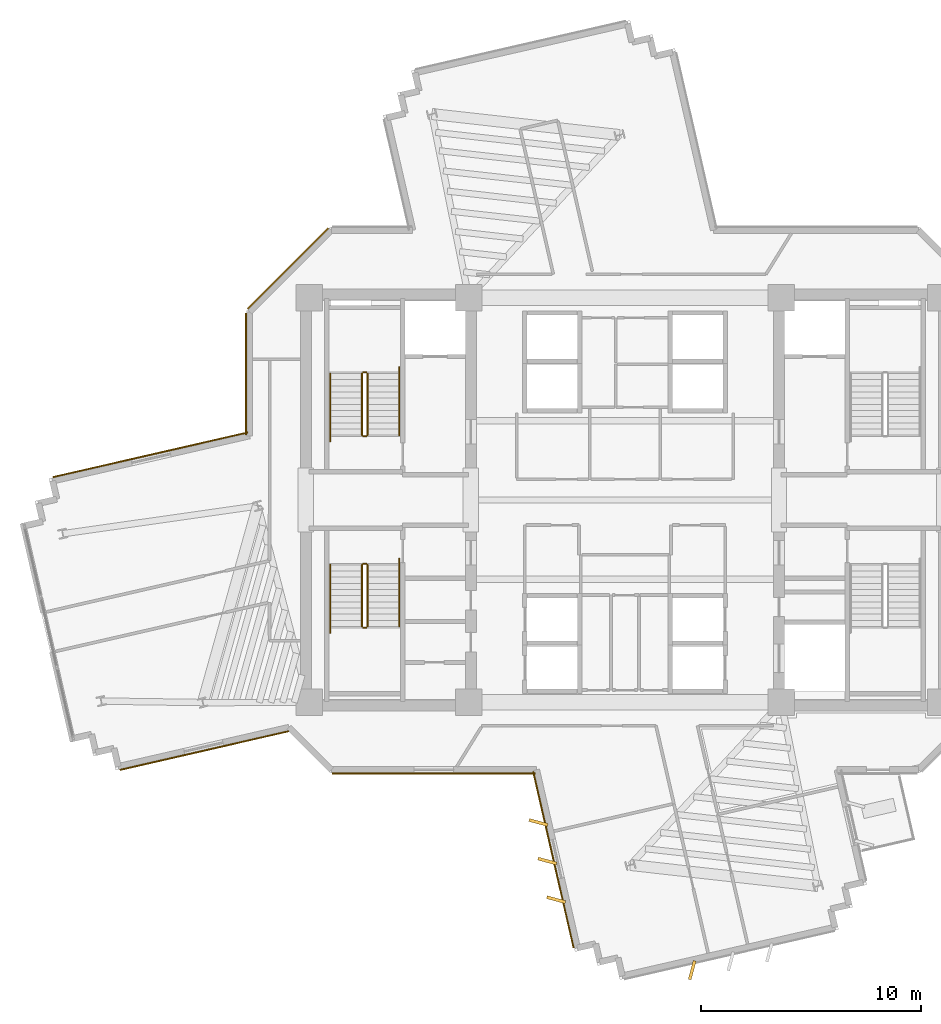
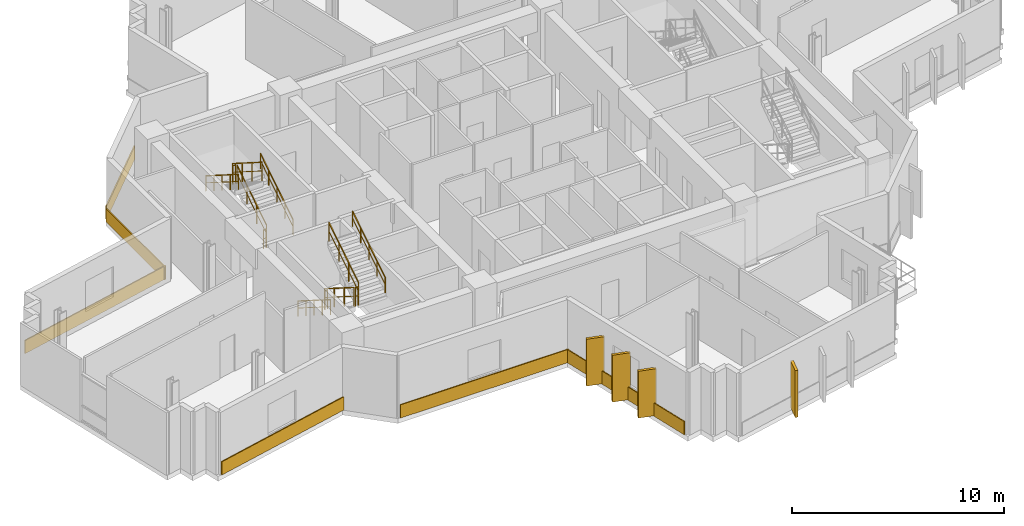
# One storey, part 11 of 13: 12 railings, 10 coverings.
"""IFC4 building model written with IfcOpenShell, lengths in metres."""

from ifc_helpers import new_model, si_unit, direction, frame, origin, origin_2d, place, context, subcontext, project, spatial, rectangle, extrude, source, transform, mapped, material, layer, layer_set, type_object, element, save


model = new_model("IFC4")

# Units and contexts
model_context = context("Model", 3, precision=1e-05, world=origin(), true_north=direction((0.0, 1.0)))
body_context = subcontext(model_context, "Body", "Model", "MODEL_VIEW")
ifc_project = project(units=[si_unit("LENGTHUNIT", "METRE"), si_unit("AREAUNIT", "SQUARE_METRE"), si_unit("VOLUMEUNIT", "CUBIC_METRE"), si_unit("PLANEANGLEUNIT", "RADIAN"), si_unit("MASSUNIT", "GRAM", prefix="KILO")], contexts=[model_context])

# Site, building, storey
site_placement = place(None, origin())
site = spatial("IfcSite", under=ifc_project, at=site_placement, CompositionType="ELEMENT")
building_placement = place(site_placement, origin())
building = spatial("IfcBuilding", under=site, at=building_placement, Name="Zahravan Cultural Tower", CompositionType="ELEMENT")
storey_placement = place(building_placement, frame((0.0, 0.0, 174.60009765625)))
storey = spatial("IfcBuildingStorey", under=building, at=storey_placement, Name="L40", CompositionType="ELEMENT", Elevation=174.60009765625)

# Railings
ifc_material_1 = material(Name="Steel ASTM A572 Grade 50", Category="steel")
railing_type_1 = type_object("IfcRailingType", Name="RL-STAIR-GRD1150", PredefinedType="BALUSTRADE", material=ifc_material_1)
railing_1_placement = place(storey_placement, frame((24.300048828125, 29.949951171875, 0.17724609375)))
element("IfcRailing", 1, at=railing_1_placement, inside=storey, type_object=railing_type_1, Name="L40 ST-W1 stair guard 1", PredefinedType="BALUSTRADE", context=body_context, shape_type="SweptSolid", body=[
    extrude(rectangle(XDim=0.05, YDim=0.05, at=origin_2d()), frame((0.0, 0.0, 1.0751953125), z_axis=(0.0, 0.844908973607, 0.534910110503), x_axis=(-1.0, 0.0, 0.0)), (0.0, 0.0, 1.0), 3.31396484375),
    extrude(rectangle(XDim=0.032, YDim=0.032, at=origin_2d()), frame((0.0, 0.0, 0.572021484375), z_axis=(0.0, 0.844908973607, 0.534910110503), x_axis=(-1.0, 0.0, 0.0)), (0.0, 0.0, 1.0), 3.31396484375),
    extrude(rectangle(XDim=0.04, YDim=0.04, at=origin_2d()), origin(), (0.0, 0.0, 1.0), 1.10009765625),
    extrude(rectangle(XDim=0.04, YDim=0.04, at=origin_2d()), frame((0.0, 0.933349609375, 0.5908203125)), (0.0, 0.0, 1.0), 1.10009765625),
    extrude(rectangle(XDim=0.04, YDim=0.04, at=origin_2d()), frame((0.0, 1.86669921875, 1.181884765625)), (0.0, 0.0, 1.0), 1.10009765625),
    extrude(rectangle(XDim=0.04, YDim=0.04, at=origin_2d()), frame((0.0, 2.800048828125, 1.772705078125)), (0.0, 0.0, 1.0), 1.10009765625),
])
railing_2_placement = place(storey_placement, frame((24.25, 32.800048828125, 1.949951171875)))
element("IfcRailing", 2, at=railing_2_placement, inside=storey, type_object=railing_type_1, Name="L40 ST-W1 stair guard 2", PredefinedType="BALUSTRADE", context=body_context, shape_type="SweptSolid", body=[
    extrude(rectangle(XDim=0.05, YDim=0.05, at=origin_2d()), frame((0.0, 0.0, 1.0751953125), z_axis=(-1.0, 0.0, 0.0), x_axis=(0.0, -1.0, 0.0)), (0.0, 0.0, 1.0), 0.14990234375),
    extrude(rectangle(XDim=0.032, YDim=0.032, at=origin_2d()), frame((0.0, 0.0, 0.572021484375), z_axis=(-1.0, 0.0, 0.0), x_axis=(0.0, -1.0, 0.0)), (0.0, 0.0, 1.0), 0.14990234375),
    extrude(rectangle(XDim=0.04, YDim=0.04, at=origin_2d()), origin(), (0.0, 0.0, 1.0), 1.10009765625),
    extrude(rectangle(XDim=0.04, YDim=0.04, at=origin_2d()), frame((-0.14990234375, 0.0, 0.0)), (0.0, 0.0, 1.0), 1.10009765625),
])
railing_3_placement = place(storey_placement, frame((24.050048828125, 32.75, 2.127197265625)))
element("IfcRailing", 3, at=railing_3_placement, inside=storey, type_object=railing_type_1, Name="L40 ST-W1 stair guard 3", PredefinedType="BALUSTRADE", context=body_context, shape_type="SweptSolid", body=[
    extrude(rectangle(XDim=0.05, YDim=0.05, at=origin_2d()), frame((0.0, 0.0, 1.0751953125), z_axis=(0.0, -0.844908973607, 0.534910110503), x_axis=(1.0, 0.0, 0.0)), (0.0, 0.0, 1.0), 3.31396484375),
    extrude(rectangle(XDim=0.032, YDim=0.032, at=origin_2d()), frame((0.0, 0.0, 0.572021484375), z_axis=(0.0, -0.844908973607, 0.534910110503), x_axis=(1.0, 0.0, 0.0)), (0.0, 0.0, 1.0), 3.31396484375),
    extrude(rectangle(XDim=0.04, YDim=0.04, at=origin_2d()), origin(), (0.0, 0.0, 1.0), 1.10009765625),
    extrude(rectangle(XDim=0.04, YDim=0.04, at=origin_2d()), frame((0.0, -0.933349609375, 0.5908203125)), (0.0, 0.0, 1.0), 1.10009765625),
    extrude(rectangle(XDim=0.04, YDim=0.04, at=origin_2d()), frame((0.0, -1.86669921875, 1.181884765625)), (0.0, 0.0, 1.0), 1.10009765625),
    extrude(rectangle(XDim=0.04, YDim=0.04, at=origin_2d()), frame((0.0, -2.800048828125, 1.772705078125)), (0.0, 0.0, 1.0), 1.10009765625),
])
railing_4_placement = place(storey_placement, frame((24.25, 29.89990234375, 0.0)))
element("IfcRailing", 4, at=railing_4_placement, inside=storey, type_object=railing_type_1, Name="L40 ST-W1 stair guard 4", PredefinedType="BALUSTRADE", context=body_context, shape_type="SweptSolid", body=[
    extrude(rectangle(XDim=0.05, YDim=0.05, at=origin_2d()), frame((0.0, 0.0, 1.0751953125), z_axis=(-1.0, 0.0, 0.0), x_axis=(0.0, -1.0, 0.0)), (0.0, 0.0, 1.0), 0.14990234375),
    extrude(rectangle(XDim=0.032, YDim=0.032, at=origin_2d()), frame((0.0, 0.0, 0.572021484375), z_axis=(-1.0, 0.0, 0.0), x_axis=(0.0, -1.0, 0.0)), (0.0, 0.0, 1.0), 0.14990234375),
    extrude(rectangle(XDim=0.04, YDim=0.04, at=origin_2d()), origin(), (0.0, 0.0, 1.0), 1.10009765625),
    extrude(rectangle(XDim=0.04, YDim=0.04, at=origin_2d()), frame((-0.14990234375, 0.0, 0.0)), (0.0, 0.0, 1.0), 1.10009765625),
])
railing_5_placement = place(storey_placement, frame((24.050048828125, 24.050048828125, 0.17724609375)))
element("IfcRailing", 5, at=railing_5_placement, inside=storey, type_object=railing_type_1, Name="L40 ST-W2 stair guard 1", PredefinedType="BALUSTRADE", context=body_context, shape_type="SweptSolid", body=[
    extrude(rectangle(XDim=0.05, YDim=0.05, at=origin_2d()), frame((0.0, 0.0, 1.0751953125), z_axis=(0.0, -0.844908973607, 0.534910110503), x_axis=(1.0, 0.0, 0.0)), (0.0, 0.0, 1.0), 3.31396484375),
    extrude(rectangle(XDim=0.032, YDim=0.032, at=origin_2d()), frame((0.0, 0.0, 0.572021484375), z_axis=(0.0, -0.844908973607, 0.534910110503), x_axis=(1.0, 0.0, 0.0)), (0.0, 0.0, 1.0), 3.31396484375),
    extrude(rectangle(XDim=0.04, YDim=0.04, at=origin_2d()), origin(), (0.0, 0.0, 1.0), 1.10009765625),
    extrude(rectangle(XDim=0.04, YDim=0.04, at=origin_2d()), frame((0.0, -0.933349609375, 0.5908203125)), (0.0, 0.0, 1.0), 1.10009765625),
    extrude(rectangle(XDim=0.04, YDim=0.04, at=origin_2d()), frame((0.0, -1.86669921875, 1.181884765625)), (0.0, 0.0, 1.0), 1.10009765625),
    extrude(rectangle(XDim=0.04, YDim=0.04, at=origin_2d()), frame((0.0, -2.800048828125, 1.772705078125)), (0.0, 0.0, 1.0), 1.10009765625),
])
railing_6_placement = place(storey_placement, frame((24.10009765625, 21.199951171875, 1.949951171875)))
element("IfcRailing", 6, at=railing_6_placement, inside=storey, type_object=railing_type_1, Name="L40 ST-W2 stair guard 2", PredefinedType="BALUSTRADE", context=body_context, shape_type="SweptSolid", body=[
    extrude(rectangle(XDim=0.05, YDim=0.05, at=origin_2d()), frame((0.0, 0.0, 1.0751953125), z_axis=(1.0, 0.0, 0.0), x_axis=(0.0, 1.0, 0.0)), (0.0, 0.0, 1.0), 0.14990234375),
    extrude(rectangle(XDim=0.032, YDim=0.032, at=origin_2d()), frame((0.0, 0.0, 0.572021484375), z_axis=(1.0, 0.0, 0.0), x_axis=(0.0, 1.0, 0.0)), (0.0, 0.0, 1.0), 0.14990234375),
    extrude(rectangle(XDim=0.04, YDim=0.04, at=origin_2d()), origin(), (0.0, 0.0, 1.0), 1.10009765625),
    extrude(rectangle(XDim=0.04, YDim=0.04, at=origin_2d()), frame((0.14990234375, 0.0, 0.0)), (0.0, 0.0, 1.0), 1.10009765625),
])
railing_7_placement = place(storey_placement, frame((24.300048828125, 21.25, 2.127197265625)))
element("IfcRailing", 7, at=railing_7_placement, inside=storey, type_object=railing_type_1, Name="L40 ST-W2 stair guard 3", PredefinedType="BALUSTRADE", context=body_context, shape_type="SweptSolid", body=[
    extrude(rectangle(XDim=0.05, YDim=0.05, at=origin_2d()), frame((0.0, 0.0, 1.0751953125), z_axis=(0.0, 0.844908973607, 0.534910110503), x_axis=(-1.0, 0.0, 0.0)), (0.0, 0.0, 1.0), 3.31396484375),
    extrude(rectangle(XDim=0.032, YDim=0.032, at=origin_2d()), frame((0.0, 0.0, 0.572021484375), z_axis=(0.0, 0.844908973607, 0.534910110503), x_axis=(-1.0, 0.0, 0.0)), (0.0, 0.0, 1.0), 3.31396484375),
    extrude(rectangle(XDim=0.04, YDim=0.04, at=origin_2d()), origin(), (0.0, 0.0, 1.0), 1.10009765625),
    extrude(rectangle(XDim=0.04, YDim=0.04, at=origin_2d()), frame((0.0, 0.933349609375, 0.5908203125)), (0.0, 0.0, 1.0), 1.10009765625),
    extrude(rectangle(XDim=0.04, YDim=0.04, at=origin_2d()), frame((0.0, 1.86669921875, 1.181884765625)), (0.0, 0.0, 1.0), 1.10009765625),
    extrude(rectangle(XDim=0.04, YDim=0.04, at=origin_2d()), frame((0.0, 2.800048828125, 1.772705078125)), (0.0, 0.0, 1.0), 1.10009765625),
])
railing_8_placement = place(storey_placement, frame((24.10009765625, 24.10009765625, 0.0)))
element("IfcRailing", 8, at=railing_8_placement, inside=storey, type_object=railing_type_1, Name="L40 ST-W2 stair guard 4", PredefinedType="BALUSTRADE", context=body_context, shape_type="SweptSolid", body=[
    extrude(rectangle(XDim=0.05, YDim=0.05, at=origin_2d()), frame((0.0, 0.0, 1.0751953125), z_axis=(1.0, 0.0, 0.0), x_axis=(0.0, 1.0, 0.0)), (0.0, 0.0, 1.0), 0.14990234375),
    extrude(rectangle(XDim=0.032, YDim=0.032, at=origin_2d()), frame((0.0, 0.0, 0.572021484375), z_axis=(1.0, 0.0, 0.0), x_axis=(0.0, 1.0, 0.0)), (0.0, 0.0, 1.0), 0.14990234375),
    extrude(rectangle(XDim=0.04, YDim=0.04, at=origin_2d()), origin(), (0.0, 0.0, 1.0), 1.10009765625),
    extrude(rectangle(XDim=0.04, YDim=0.04, at=origin_2d()), frame((0.14990234375, 0.0, 0.0)), (0.0, 0.0, 1.0), 1.10009765625),
])
railing_type_2 = type_object("IfcRailingType", Name="RL-STAIR-HR900", PredefinedType="HANDRAIL", material=ifc_material_1)
railing_9_placement = place(storey_placement, frame((25.75, 29.949951171875, 0.17724609375)))
element("IfcRailing", 9, at=railing_9_placement, inside=storey, type_object=railing_type_2, Name="L40 ST-W1 stair handrail 1", PredefinedType="HANDRAIL", context=body_context, shape_type="SweptSolid", body=[
    extrude(rectangle(XDim=0.05, YDim=0.05, at=origin_2d()), frame((0.0, 0.0, 0.875), z_axis=(0.0, 0.844913916606, 0.534902302785), x_axis=(-1.0, 0.0, 0.0)), (0.0, 0.0, 1.0), 3.6455078125),
    extrude(rectangle(XDim=0.032, YDim=0.032, at=origin_2d()), frame((0.0, 0.0, 0.468017578125), z_axis=(0.0, 0.844913916606, 0.534902302785), x_axis=(-1.0, 0.0, 0.0)), (0.0, 0.0, 1.0), 3.6455078125),
    extrude(rectangle(XDim=0.04, YDim=0.04, at=origin_2d()), origin(), (0.0, 0.0, 1.0), 0.89990234375),
    extrude(rectangle(XDim=0.04, YDim=0.04, at=origin_2d()), frame((0.0, 0.77001953125, 0.487548828125)), (0.0, 0.0, 1.0), 0.89990234375),
    extrude(rectangle(XDim=0.04, YDim=0.04, at=origin_2d()), frame((0.0, 1.5400390625, 0.97509765625)), (0.0, 0.0, 1.0), 0.89990234375),
    extrude(rectangle(XDim=0.04, YDim=0.04, at=origin_2d()), frame((0.0, 2.31005859375, 1.46240234375)), (0.0, 0.0, 1.0), 0.89990234375),
    extrude(rectangle(XDim=0.04, YDim=0.04, at=origin_2d()), frame((0.0, 3.080078125, 1.949951171875)), (0.0, 0.0, 1.0), 0.89990234375),
])
for number, where, name in (
    (10, (22.60009765625, 32.75, 2.127197265625), "L40 ST-W1 stair handrail 2"),
    (11, (22.60009765625, 24.050048828125, 0.17724609375), "L40 ST-W2 stair handrail 1"),
):
    element("IfcRailing", number, at=place(storey_placement, frame(where)), inside=storey, type_object=railing_type_2, Name=name, PredefinedType="HANDRAIL", context=body_context, shape_type="SweptSolid", body=[
        extrude(rectangle(XDim=0.05, YDim=0.05, at=origin_2d()), frame((0.0, 0.0, 0.875), z_axis=(0.0, -0.844913916606, 0.534902302785), x_axis=(1.0, 0.0, 0.0)), (0.0, 0.0, 1.0), 3.6455078125),
        extrude(rectangle(XDim=0.032, YDim=0.032, at=origin_2d()), frame((0.0, 0.0, 0.468017578125), z_axis=(0.0, -0.844913916606, 0.534902302785), x_axis=(1.0, 0.0, 0.0)), (0.0, 0.0, 1.0), 3.6455078125),
        extrude(rectangle(XDim=0.04, YDim=0.04, at=origin_2d()), origin(), (0.0, 0.0, 1.0), 0.89990234375),
        extrude(rectangle(XDim=0.04, YDim=0.04, at=origin_2d()), frame((0.0, -0.77001953125, 0.487548828125)), (0.0, 0.0, 1.0), 0.89990234375),
        extrude(rectangle(XDim=0.04, YDim=0.04, at=origin_2d()), frame((0.0, -1.5400390625, 0.97509765625)), (0.0, 0.0, 1.0), 0.89990234375),
        extrude(rectangle(XDim=0.04, YDim=0.04, at=origin_2d()), frame((0.0, -2.31005859375, 1.46240234375)), (0.0, 0.0, 1.0), 0.89990234375),
        extrude(rectangle(XDim=0.04, YDim=0.04, at=origin_2d()), frame((0.0, -3.080078125, 1.949951171875)), (0.0, 0.0, 1.0), 0.89990234375),
    ])
railing_10_placement = place(storey_placement, frame((25.75, 21.25, 2.127197265625)))
element("IfcRailing", 12, at=railing_10_placement, inside=storey, type_object=railing_type_2, Name="L40 ST-W2 stair handrail 2", PredefinedType="HANDRAIL", context=body_context, shape_type="SweptSolid", body=[
    extrude(rectangle(XDim=0.05, YDim=0.05, at=origin_2d()), frame((0.0, 0.0, 0.875), z_axis=(0.0, 0.844913916606, 0.534902302785), x_axis=(-1.0, 0.0, 0.0)), (0.0, 0.0, 1.0), 3.6455078125),
    extrude(rectangle(XDim=0.032, YDim=0.032, at=origin_2d()), frame((0.0, 0.0, 0.468017578125), z_axis=(0.0, 0.844913916606, 0.534902302785), x_axis=(-1.0, 0.0, 0.0)), (0.0, 0.0, 1.0), 3.6455078125),
    extrude(rectangle(XDim=0.04, YDim=0.04, at=origin_2d()), origin(), (0.0, 0.0, 1.0), 0.89990234375),
    extrude(rectangle(XDim=0.04, YDim=0.04, at=origin_2d()), frame((0.0, 0.77001953125, 0.487548828125)), (0.0, 0.0, 1.0), 0.89990234375),
    extrude(rectangle(XDim=0.04, YDim=0.04, at=origin_2d()), frame((0.0, 1.5400390625, 0.97509765625)), (0.0, 0.0, 1.0), 0.89990234375),
    extrude(rectangle(XDim=0.04, YDim=0.04, at=origin_2d()), frame((0.0, 2.31005859375, 1.46240234375)), (0.0, 0.0, 1.0), 0.89990234375),
    extrude(rectangle(XDim=0.04, YDim=0.04, at=origin_2d()), frame((0.0, 3.080078125, 1.949951171875)), (0.0, 0.0, 1.0), 0.89990234375),
])

# Coverings
ifc_material_2 = material(Name="Terracotta ceramic cladding", Category="masonry")
ifc_layer = layer(ifc_material_2, 0.06005859375)
ifc_layer_set = layer_set([ifc_layer], Name="Terracotta ceramic cladding")
covering_type = type_object("IfcCoveringType", Name="COV-CLAD-TC60", PredefinedType="CLADDING", material=ifc_layer_set)
shared_shape_1 = source(origin(), body_context, "Body", "SweptSolid", [
    extrude(rectangle(XDim=5.157958984375, YDim=0.06005859375, at=origin_2d()), origin(), (0.0, 0.0, 1.0), 0.760009765625),
])
covering_1_placement = place(storey_placement, frame((20.682373046875, 37.517578125, 0.02001953125), z_axis=(0.0, 0.0, 1.0), x_axis=(0.707106781187, 0.707106781187, 0.0)))
element("IfcCovering", 13, at=covering_1_placement, inside=storey, type_object=covering_type, Name="L40 Terracotta Spandrel Cladding 38", PredefinedType="CLADDING", context=body_context, shape_type="MappedRepresentation", body=[
    mapped(shared_shape_1, transform((0.0, 0.0, 0.0), x_axis=(1.0, 0.0, 0.0), y_axis=(0.0, 1.0, 0.0), z_axis=(0.0, 0.0, 1.0), scale=1.0)),
])
shared_shape_2 = source(origin(), body_context, "Body", "SweptSolid", [
    extrude(rectangle(XDim=0.8798828125, YDim=0.139892578125, at=origin_2d()), origin(), (0.0, 0.0, 1.0), 2.699951171875),
])
for number, where, z_axis, x_axis, name in (
    (14, (39.054931640625, 5.632080078125, 0.0498046875), (0.0, 0.0, 1.0), (-0.260167479254, -0.965563505285, 0.0), "L40 Herringbone Terracotta Fin 15"),
    (15, (32.872314453125, 8.83544921875, 0.0498046875), (0.0, 0.0, 1.0), (-0.965568045917, 0.260150626952, 0.0), "L40 Herringbone Terracotta Fin 16"),
    (16, (32.4697265625, 10.58984375, 0.0498046875), (0.0, 0.0, 1.0), (-0.965568045917, 0.260150626952, 0.0), "L40 Herringbone Terracotta Fin 17"),
    (17, (32.0673828125, 12.344482421875, 0.0498046875), (0.0, 0.0, 1.0), (-0.965568045917, 0.260150626952, 0.0), "L40 Herringbone Terracotta Fin 18"),
):
    element("IfcCovering", number, at=place(storey_placement, frame(where, z_axis=z_axis, x_axis=x_axis)), inside=storey, type_object=covering_type, Name=name, PredefinedType="CLADDING", context=body_context, shape_type="MappedRepresentation", body=[
        mapped(shared_shape_2, transform((0.0, 0.0, 0.0), x_axis=(1.0, 0.0, 0.0), y_axis=(0.0, 1.0, 0.0), z_axis=(0.0, 0.0, 1.0), scale=1.0)),
    ])
shared_shape_3 = source(origin(), body_context, "Body", "SweptSolid", [
    extrude(rectangle(XDim=7.868896484375, YDim=0.06005859375, at=origin_2d()), origin(), (0.0, 0.0, 1.0), 0.760009765625),
])
covering_2_placement = place(storey_placement, frame((16.886474609375, 15.613037109375, 0.02001953125), z_axis=(0.0, 0.0, 1.0), x_axis=(-0.974683205815, -0.223590358248, 0.0)))
element("IfcCovering", 18, at=covering_2_placement, inside=storey, type_object=covering_type, Name="L40 Terracotta Spandrel Cladding 27", PredefinedType="CLADDING", context=body_context, shape_type="MappedRepresentation", body=[
    mapped(shared_shape_3, transform((0.0, 0.0, 0.0), x_axis=(1.0, 0.0, 0.0), y_axis=(0.0, 1.0, 0.0), z_axis=(0.0, 0.0, 1.0), scale=1.0)),
])
shared_shape_4 = source(origin(), body_context, "Body", "SweptSolid", [
    extrude(rectangle(XDim=9.084716796875, YDim=0.06005859375, at=origin_2d()), origin(), (0.0, 0.0, 1.0), 0.760009765625),
])
covering_3_placement = place(storey_placement, frame((14.427001953125, 29.053466796875, 0.02001953125), z_axis=(0.0, 0.0, 1.0), x_axis=(0.974679303279, 0.223607369645, 0.0)))
element("IfcCovering", 19, at=covering_3_placement, inside=storey, type_object=covering_type, Name="L40 Terracotta Spandrel Cladding 36", PredefinedType="CLADDING", context=body_context, shape_type="MappedRepresentation", body=[
    mapped(shared_shape_4, transform((0.0, 0.0, 0.0), x_axis=(1.0, 0.0, 0.0), y_axis=(0.0, 1.0, 0.0), z_axis=(0.0, 0.0, 1.0), scale=1.0)),
])
shared_shape_5 = source(origin(), body_context, "Body", "SweptSolid", [
    extrude(rectangle(XDim=5.5224609375, YDim=0.06005859375, at=origin_2d()), origin(), (0.0, 0.0, 1.0), 0.760009765625),
])
covering_4_placement = place(storey_placement, frame((18.77490234375, 32.730712890625, 0.02001953125), z_axis=(0.0, 0.0, 1.0), x_axis=(0.0, 1.0, 0.0)))
element("IfcCovering", 20, at=covering_4_placement, inside=storey, type_object=covering_type, Name="L40 Terracotta Spandrel Cladding 37", PredefinedType="CLADDING", context=body_context, shape_type="MappedRepresentation", body=[
    mapped(shared_shape_5, transform((0.0, 0.0, 0.0), x_axis=(1.0, 0.0, 0.0), y_axis=(0.0, 1.0, 0.0), z_axis=(0.0, 0.0, 1.0), scale=1.0)),
])
shared_shape_6 = source(origin(), body_context, "Body", "SweptSolid", [
    extrude(rectangle(XDim=8.209228515625, YDim=0.06005859375, at=origin_2d()), origin(), (0.0, 0.0, 1.0), 0.760009765625),
])
covering_5_placement = place(storey_placement, frame((32.74755859375, 10.65380859375, 0.02001953125), z_axis=(0.0, 0.0, 1.0), x_axis=(-0.223607369645, 0.974679303279, 0.0)))
element("IfcCovering", 21, at=covering_5_placement, inside=storey, type_object=covering_type, Name="L40 Terracotta Spandrel Cladding 24", PredefinedType="CLADDING", context=body_context, shape_type="MappedRepresentation", body=[
    mapped(shared_shape_6, transform((0.0, 0.0, 0.0), x_axis=(1.0, 0.0, 0.0), y_axis=(0.0, 1.0, 0.0), z_axis=(0.0, 0.0, 1.0), scale=1.0)),
])
shared_shape_7 = source(origin(), body_context, "Body", "SweptSolid", [
    extrude(rectangle(XDim=9.221435546875, YDim=0.06005859375, at=origin_2d()), origin(), (0.0, 0.0, 1.0), 0.760009765625),
])
covering_6_placement = place(storey_placement, frame((27.318603515625, 14.574951171875, 0.02001953125), z_axis=(0.0, 0.0, 1.0), x_axis=(-1.0, 0.0, 0.0)))
element("IfcCovering", 22, at=covering_6_placement, inside=storey, type_object=covering_type, Name="L40 Terracotta Spandrel Cladding 25", PredefinedType="CLADDING", context=body_context, shape_type="MappedRepresentation", body=[
    mapped(shared_shape_7, transform((0.0, 0.0, 0.0), x_axis=(1.0, 0.0, 0.0), y_axis=(0.0, 1.0, 0.0), z_axis=(0.0, 0.0, 1.0), scale=1.0)),
])

save(model, "model.ifc")
